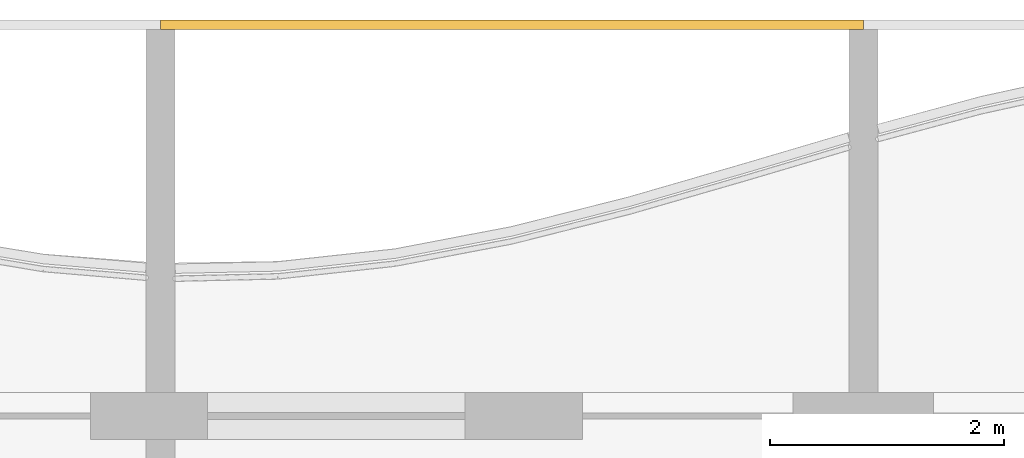
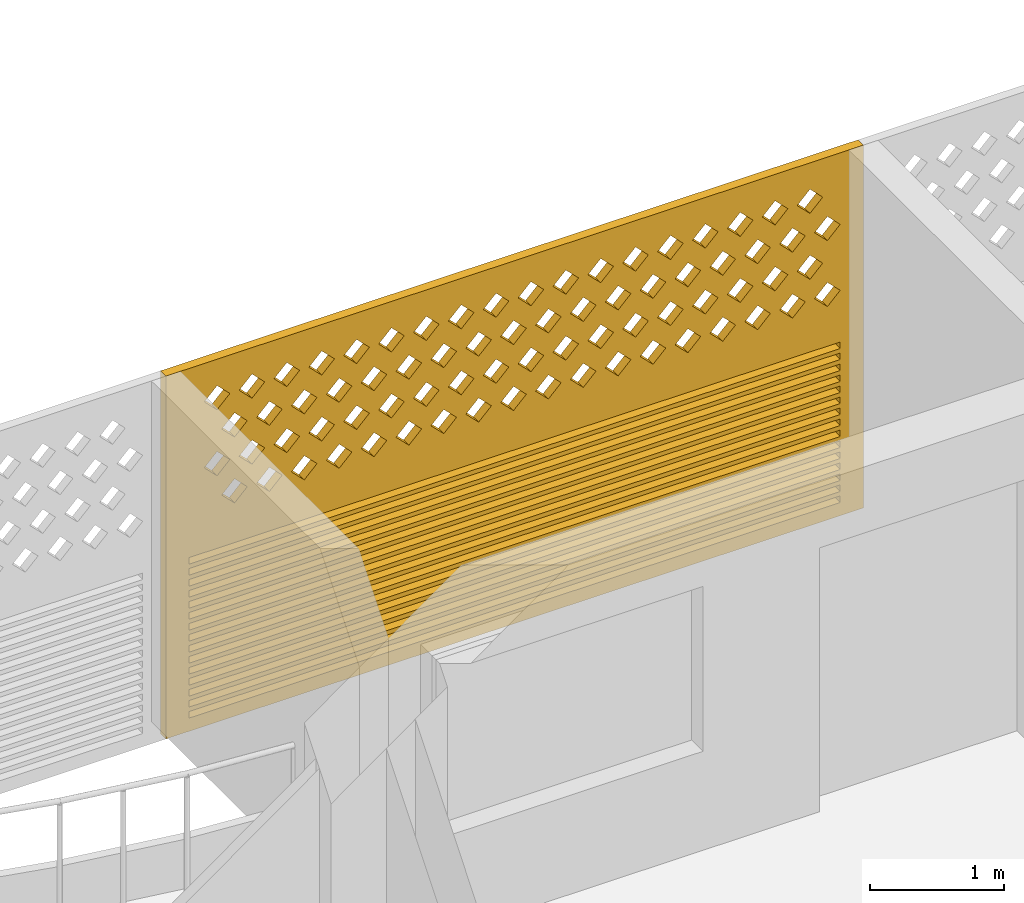
# One storey, part 19 of 27: 1 covering.
"""IFC4 building model written with IfcOpenShell, lengths in metres."""

from ifc_helpers import new_model, si_unit, direction, frame, origin, place, context, subcontext, project, spatial, polyline, outline, extrude, source, transform, mapped, material, material_profile, profile_set, type_object, element, save


model = new_model("IFC4")

# Units and contexts
model_context = context("Model", 3, precision=1e-05, world=origin(), true_north=direction((0.0, 1.0)))
body_context = subcontext(model_context, "Body", "Model", "MODEL_VIEW")
ifc_project = project(units=[si_unit("LENGTHUNIT", "METRE"), si_unit("AREAUNIT", "SQUARE_METRE"), si_unit("VOLUMEUNIT", "CUBIC_METRE"), si_unit("PLANEANGLEUNIT", "RADIAN"), si_unit("MASSUNIT", "GRAM", prefix="KILO")], contexts=[model_context])

# Site, building, storey
site_placement = place(None, origin())
site = spatial("IfcSite", under=ifc_project, at=site_placement, CompositionType="ELEMENT")
building_placement = place(site_placement, origin())
building = spatial("IfcBuilding", under=site, at=building_placement, Name="Poui Terraces", CompositionType="ELEMENT")
storey_placement = place(building_placement, frame((0.0, 0.0, 208.199951171875)))
storey = spatial("IfcBuildingStorey", under=building, at=storey_placement, Name="L58", CompositionType="ELEMENT", Elevation=208.199951171875)

# Covering
ifc_material = material(Name="Terracotta screen", Category="masonry")
ifc_material_profile = material_profile(ifc_material, outline(polyline([(-3.0, -1.64990234375), (3.0, -1.64990234375), (3.0, 1.64990234375), (-3.0, 1.64990234375), (-3.0, -1.64990234375)]), holes=[polyline([(-2.800048828125, 0.39990234375), (-2.68994140625, 0.2900390625), (-2.580078125, 0.39990234375), (-2.68994140625, 0.510009765625), (-2.800048828125, 0.39990234375)]), polyline([(-2.5, 0.39990234375), (-2.389892578125, 0.2900390625), (-2.280029296875, 0.39990234375), (-2.389892578125, 0.510009765625), (-2.5, 0.39990234375)]), polyline([(-2.199951171875, 0.39990234375), (-2.090087890625, 0.2900390625), (-1.97998046875, 0.39990234375), (-2.090087890625, 0.510009765625), (-2.199951171875, 0.39990234375)]), polyline([(-1.89990234375, 0.39990234375), (-1.7900390625, 0.2900390625), (-1.679931640625, 0.39990234375), (-1.7900390625, 0.510009765625), (-1.89990234375, 0.39990234375)]), polyline([(-1.60009765625, 0.39990234375), (-1.489990234375, 0.2900390625), (-1.3798828125, 0.39990234375), (-1.489990234375, 0.510009765625), (-1.60009765625, 0.39990234375)]), polyline([(-1.300048828125, 0.39990234375), (-1.18994140625, 0.2900390625), (-1.080078125, 0.39990234375), (-1.18994140625, 0.510009765625), (-1.300048828125, 0.39990234375)]), polyline([(-1.0, 0.39990234375), (-0.889892578125, 0.2900390625), (-0.780029296875, 0.39990234375), (-0.889892578125, 0.510009765625), (-1.0, 0.39990234375)]), polyline([(-0.699951171875, 0.39990234375), (-0.590087890625, 0.2900390625), (-0.47998046875, 0.39990234375), (-0.590087890625, 0.510009765625), (-0.699951171875, 0.39990234375)]), polyline([(-0.39990234375, 0.39990234375), (-0.2900390625, 0.2900390625), (-0.179931640625, 0.39990234375), (-0.2900390625, 0.510009765625), (-0.39990234375, 0.39990234375)]), polyline([(-0.10009765625, 0.39990234375), (0.010009765625, 0.2900390625), (0.1201171875, 0.39990234375), (0.010009765625, 0.510009765625), (-0.10009765625, 0.39990234375)]), polyline([(0.199951171875, 0.39990234375), (0.31005859375, 0.2900390625), (0.419921875, 0.39990234375), (0.31005859375, 0.510009765625), (0.199951171875, 0.39990234375)]), polyline([(0.5, 0.39990234375), (0.610107421875, 0.2900390625), (0.719970703125, 0.39990234375), (0.610107421875, 0.510009765625), (0.5, 0.39990234375)]), polyline([(0.800048828125, 0.39990234375), (0.909912109375, 0.2900390625), (1.02001953125, 0.39990234375), (0.909912109375, 0.510009765625), (0.800048828125, 0.39990234375)]), polyline([(1.10009765625, 0.39990234375), (1.2099609375, 0.2900390625), (1.320068359375, 0.39990234375), (1.2099609375, 0.510009765625), (1.10009765625, 0.39990234375)]), polyline([(1.39990234375, 0.39990234375), (1.510009765625, 0.2900390625), (1.6201171875, 0.39990234375), (1.510009765625, 0.510009765625), (1.39990234375, 0.39990234375)]), polyline([(1.699951171875, 0.39990234375), (1.81005859375, 0.2900390625), (1.919921875, 0.39990234375), (1.81005859375, 0.510009765625), (1.699951171875, 0.39990234375)]), polyline([(2.0, 0.39990234375), (2.110107421875, 0.2900390625), (2.219970703125, 0.39990234375), (2.110107421875, 0.510009765625), (2.0, 0.39990234375)]), polyline([(2.300048828125, 0.39990234375), (2.409912109375, 0.2900390625), (2.52001953125, 0.39990234375), (2.409912109375, 0.510009765625), (2.300048828125, 0.39990234375)]), polyline([(-2.64990234375, 0.699951171875), (-2.5400390625, 0.590087890625), (-2.429931640625, 0.699951171875), (-2.5400390625, 0.81005859375), (-2.64990234375, 0.699951171875)]), polyline([(-2.35009765625, 0.699951171875), (-2.239990234375, 0.590087890625), (-2.1298828125, 0.699951171875), (-2.239990234375, 0.81005859375), (-2.35009765625, 0.699951171875)]), polyline([(-2.050048828125, 0.699951171875), (-1.93994140625, 0.590087890625), (-1.830078125, 0.699951171875), (-1.93994140625, 0.81005859375), (-2.050048828125, 0.699951171875)]), polyline([(-1.75, 0.699951171875), (-1.639892578125, 0.590087890625), (-1.530029296875, 0.699951171875), (-1.639892578125, 0.81005859375), (-1.75, 0.699951171875)]), polyline([(-1.449951171875, 0.699951171875), (-1.340087890625, 0.590087890625), (-1.22998046875, 0.699951171875), (-1.340087890625, 0.81005859375), (-1.449951171875, 0.699951171875)]), polyline([(-1.14990234375, 0.699951171875), (-1.0400390625, 0.590087890625), (-0.929931640625, 0.699951171875), (-1.0400390625, 0.81005859375), (-1.14990234375, 0.699951171875)]), polyline([(-0.85009765625, 0.699951171875), (-0.739990234375, 0.590087890625), (-0.6298828125, 0.699951171875), (-0.739990234375, 0.81005859375), (-0.85009765625, 0.699951171875)]), polyline([(-0.550048828125, 0.699951171875), (-0.43994140625, 0.590087890625), (-0.330078125, 0.699951171875), (-0.43994140625, 0.81005859375), (-0.550048828125, 0.699951171875)]), polyline([(-0.25, 0.699951171875), (-0.139892578125, 0.590087890625), (-0.030029296875, 0.699951171875), (-0.139892578125, 0.81005859375), (-0.25, 0.699951171875)]), polyline([(0.050048828125, 0.699951171875), (0.159912109375, 0.590087890625), (0.27001953125, 0.699951171875), (0.159912109375, 0.81005859375), (0.050048828125, 0.699951171875)]), polyline([(0.35009765625, 0.699951171875), (0.4599609375, 0.590087890625), (0.570068359375, 0.699951171875), (0.4599609375, 0.81005859375), (0.35009765625, 0.699951171875)]), polyline([(0.64990234375, 0.699951171875), (0.760009765625, 0.590087890625), (0.8701171875, 0.699951171875), (0.760009765625, 0.81005859375), (0.64990234375, 0.699951171875)]), polyline([(0.949951171875, 0.699951171875), (1.06005859375, 0.590087890625), (1.169921875, 0.699951171875), (1.06005859375, 0.81005859375), (0.949951171875, 0.699951171875)]), polyline([(1.25, 0.699951171875), (1.360107421875, 0.590087890625), (1.469970703125, 0.699951171875), (1.360107421875, 0.81005859375), (1.25, 0.699951171875)]), polyline([(1.550048828125, 0.699951171875), (1.659912109375, 0.590087890625), (1.77001953125, 0.699951171875), (1.659912109375, 0.81005859375), (1.550048828125, 0.699951171875)]), polyline([(1.85009765625, 0.699951171875), (1.9599609375, 0.590087890625), (2.070068359375, 0.699951171875), (1.9599609375, 0.81005859375), (1.85009765625, 0.699951171875)]), polyline([(2.14990234375, 0.699951171875), (2.260009765625, 0.590087890625), (2.3701171875, 0.699951171875), (2.260009765625, 0.81005859375), (2.14990234375, 0.699951171875)]), polyline([(2.449951171875, 0.699951171875), (2.56005859375, 0.590087890625), (2.669921875, 0.699951171875), (2.56005859375, 0.81005859375), (2.449951171875, 0.699951171875)]), polyline([(-2.800048828125, 1.0), (-2.68994140625, 0.889892578125), (-2.580078125, 1.0), (-2.68994140625, 1.110107421875), (-2.800048828125, 1.0)]), polyline([(-2.5, 1.0), (-2.389892578125, 0.889892578125), (-2.280029296875, 1.0), (-2.389892578125, 1.110107421875), (-2.5, 1.0)]), polyline([(-2.199951171875, 1.0), (-2.090087890625, 0.889892578125), (-1.97998046875, 1.0), (-2.090087890625, 1.110107421875), (-2.199951171875, 1.0)]), polyline([(-1.89990234375, 1.0), (-1.7900390625, 0.889892578125), (-1.679931640625, 1.0), (-1.7900390625, 1.110107421875), (-1.89990234375, 1.0)]), polyline([(-1.60009765625, 1.0), (-1.489990234375, 0.889892578125), (-1.3798828125, 1.0), (-1.489990234375, 1.110107421875), (-1.60009765625, 1.0)]), polyline([(-1.300048828125, 1.0), (-1.18994140625, 0.889892578125), (-1.080078125, 1.0), (-1.18994140625, 1.110107421875), (-1.300048828125, 1.0)]), polyline([(-1.0, 1.0), (-0.889892578125, 0.889892578125), (-0.780029296875, 1.0), (-0.889892578125, 1.110107421875), (-1.0, 1.0)]), polyline([(-0.699951171875, 1.0), (-0.590087890625, 0.889892578125), (-0.47998046875, 1.0), (-0.590087890625, 1.110107421875), (-0.699951171875, 1.0)]), polyline([(-0.39990234375, 1.0), (-0.2900390625, 0.889892578125), (-0.179931640625, 1.0), (-0.2900390625, 1.110107421875), (-0.39990234375, 1.0)]), polyline([(-0.10009765625, 1.0), (0.010009765625, 0.889892578125), (0.1201171875, 1.0), (0.010009765625, 1.110107421875), (-0.10009765625, 1.0)]), polyline([(0.199951171875, 1.0), (0.31005859375, 0.889892578125), (0.419921875, 1.0), (0.31005859375, 1.110107421875), (0.199951171875, 1.0)]), polyline([(0.5, 1.0), (0.610107421875, 0.889892578125), (0.719970703125, 1.0), (0.610107421875, 1.110107421875), (0.5, 1.0)]), polyline([(0.800048828125, 1.0), (0.909912109375, 0.889892578125), (1.02001953125, 1.0), (0.909912109375, 1.110107421875), (0.800048828125, 1.0)]), polyline([(1.10009765625, 1.0), (1.2099609375, 0.889892578125), (1.320068359375, 1.0), (1.2099609375, 1.110107421875), (1.10009765625, 1.0)]), polyline([(1.39990234375, 1.0), (1.510009765625, 0.889892578125), (1.6201171875, 1.0), (1.510009765625, 1.110107421875), (1.39990234375, 1.0)]), polyline([(1.699951171875, 1.0), (1.81005859375, 0.889892578125), (1.919921875, 1.0), (1.81005859375, 1.110107421875), (1.699951171875, 1.0)]), polyline([(2.0, 1.0), (2.110107421875, 0.889892578125), (2.219970703125, 1.0), (2.110107421875, 1.110107421875), (2.0, 1.0)]), polyline([(2.300048828125, 1.0), (2.409912109375, 0.889892578125), (2.52001953125, 1.0), (2.409912109375, 1.110107421875), (2.300048828125, 1.0)]), polyline([(-2.64990234375, 1.300048828125), (-2.5400390625, 1.18994140625), (-2.429931640625, 1.300048828125), (-2.5400390625, 1.409912109375), (-2.64990234375, 1.300048828125)]), polyline([(-2.35009765625, 1.300048828125), (-2.239990234375, 1.18994140625), (-2.1298828125, 1.300048828125), (-2.239990234375, 1.409912109375), (-2.35009765625, 1.300048828125)]), polyline([(-2.050048828125, 1.300048828125), (-1.93994140625, 1.18994140625), (-1.830078125, 1.300048828125), (-1.93994140625, 1.409912109375), (-2.050048828125, 1.300048828125)]), polyline([(-1.75, 1.300048828125), (-1.639892578125, 1.18994140625), (-1.530029296875, 1.300048828125), (-1.639892578125, 1.409912109375), (-1.75, 1.300048828125)]), polyline([(-1.449951171875, 1.300048828125), (-1.340087890625, 1.18994140625), (-1.22998046875, 1.300048828125), (-1.340087890625, 1.409912109375), (-1.449951171875, 1.300048828125)]), polyline([(-1.14990234375, 1.300048828125), (-1.0400390625, 1.18994140625), (-0.929931640625, 1.300048828125), (-1.0400390625, 1.409912109375), (-1.14990234375, 1.300048828125)]), polyline([(-0.85009765625, 1.300048828125), (-0.739990234375, 1.18994140625), (-0.6298828125, 1.300048828125), (-0.739990234375, 1.409912109375), (-0.85009765625, 1.300048828125)]), polyline([(-0.550048828125, 1.300048828125), (-0.43994140625, 1.18994140625), (-0.330078125, 1.300048828125), (-0.43994140625, 1.409912109375), (-0.550048828125, 1.300048828125)]), polyline([(-0.25, 1.300048828125), (-0.139892578125, 1.18994140625), (-0.030029296875, 1.300048828125), (-0.139892578125, 1.409912109375), (-0.25, 1.300048828125)]), polyline([(0.050048828125, 1.300048828125), (0.159912109375, 1.18994140625), (0.27001953125, 1.300048828125), (0.159912109375, 1.409912109375), (0.050048828125, 1.300048828125)]), polyline([(0.35009765625, 1.300048828125), (0.4599609375, 1.18994140625), (0.570068359375, 1.300048828125), (0.4599609375, 1.409912109375), (0.35009765625, 1.300048828125)]), polyline([(0.64990234375, 1.300048828125), (0.760009765625, 1.18994140625), (0.8701171875, 1.300048828125), (0.760009765625, 1.409912109375), (0.64990234375, 1.300048828125)]), polyline([(0.949951171875, 1.300048828125), (1.06005859375, 1.18994140625), (1.169921875, 1.300048828125), (1.06005859375, 1.409912109375), (0.949951171875, 1.300048828125)]), polyline([(1.25, 1.300048828125), (1.360107421875, 1.18994140625), (1.469970703125, 1.300048828125), (1.360107421875, 1.409912109375), (1.25, 1.300048828125)]), polyline([(1.550048828125, 1.300048828125), (1.659912109375, 1.18994140625), (1.77001953125, 1.300048828125), (1.659912109375, 1.409912109375), (1.550048828125, 1.300048828125)]), polyline([(1.85009765625, 1.300048828125), (1.9599609375, 1.18994140625), (2.070068359375, 1.300048828125), (1.9599609375, 1.409912109375), (1.85009765625, 1.300048828125)]), polyline([(2.14990234375, 1.300048828125), (2.260009765625, 1.18994140625), (2.3701171875, 1.300048828125), (2.260009765625, 1.409912109375), (2.14990234375, 1.300048828125)]), polyline([(2.449951171875, 1.300048828125), (2.56005859375, 1.18994140625), (2.669921875, 1.300048828125), (2.56005859375, 1.409912109375), (2.449951171875, 1.300048828125)]), polyline([(-2.800048828125, -1.530029296875), (2.800048828125, -1.530029296875), (2.800048828125, -1.469970703125), (-2.800048828125, -1.469970703125), (-2.800048828125, -1.530029296875)]), polyline([(-2.800048828125, -1.429931640625), (2.800048828125, -1.429931640625), (2.800048828125, -1.3701171875), (-2.800048828125, -1.3701171875), (-2.800048828125, -1.429931640625)]), polyline([(-2.800048828125, -1.330078125), (2.800048828125, -1.330078125), (2.800048828125, -1.27001953125), (-2.800048828125, -1.27001953125), (-2.800048828125, -1.330078125)]), polyline([(-2.800048828125, -1.22998046875), (2.800048828125, -1.22998046875), (2.800048828125, -1.169921875), (-2.800048828125, -1.169921875), (-2.800048828125, -1.22998046875)]), polyline([(-2.800048828125, -1.1298828125), (2.800048828125, -1.1298828125), (2.800048828125, -1.070068359375), (-2.800048828125, -1.070068359375), (-2.800048828125, -1.1298828125)]), polyline([(-2.800048828125, -1.030029296875), (2.800048828125, -1.030029296875), (2.800048828125, -0.969970703125), (-2.800048828125, -0.969970703125), (-2.800048828125, -1.030029296875)]), polyline([(-2.800048828125, -0.929931640625), (2.800048828125, -0.929931640625), (2.800048828125, -0.8701171875), (-2.800048828125, -0.8701171875), (-2.800048828125, -0.929931640625)]), polyline([(-2.800048828125, -0.830078125), (2.800048828125, -0.830078125), (2.800048828125, -0.77001953125), (-2.800048828125, -0.77001953125), (-2.800048828125, -0.830078125)]), polyline([(-2.800048828125, -0.72998046875), (2.800048828125, -0.72998046875), (2.800048828125, -0.669921875), (-2.800048828125, -0.669921875), (-2.800048828125, -0.72998046875)]), polyline([(-2.800048828125, -0.6298828125), (2.800048828125, -0.6298828125), (2.800048828125, -0.570068359375), (-2.800048828125, -0.570068359375), (-2.800048828125, -0.6298828125)]), polyline([(-2.800048828125, -0.530029296875), (2.800048828125, -0.530029296875), (2.800048828125, -0.469970703125), (-2.800048828125, -0.469970703125), (-2.800048828125, -0.530029296875)]), polyline([(-2.800048828125, -0.429931640625), (2.800048828125, -0.429931640625), (2.800048828125, -0.3701171875), (-2.800048828125, -0.3701171875), (-2.800048828125, -0.429931640625)]), polyline([(-2.800048828125, -0.330078125), (2.800048828125, -0.330078125), (2.800048828125, -0.27001953125), (-2.800048828125, -0.27001953125), (-2.800048828125, -0.330078125)]), polyline([(-2.800048828125, -0.22998046875), (2.800048828125, -0.22998046875), (2.800048828125, -0.169921875), (-2.800048828125, -0.169921875), (-2.800048828125, -0.22998046875)]), polyline([(-2.800048828125, -0.1298828125), (2.800048828125, -0.1298828125), (2.800048828125, -0.070068359375), (-2.800048828125, -0.070068359375), (-2.800048828125, -0.1298828125)])]), Name="TERRACOTTA SCREEN AND JALOUSIE LOUVRE 6000X3300")
ifc_profile_set = profile_set([ifc_material_profile], Name="Terracotta screen")
covering_type = type_object("IfcCoveringType", Name="TERRACOTTA SCREEN AND JALOUSIE LOUVRE 6000X3300", PredefinedType="CLADDING", material=ifc_profile_set)
shared_shape = source(origin(), body_context, "Body", "SweptSolid", [
    extrude(outline(polyline([(-3.0, -1.64990234375), (3.0, -1.64990234375), (3.0, 1.64990234375), (-3.0, 1.64990234375), (-3.0, -1.64990234375)]), holes=[polyline([(-2.800048828125, 0.39990234375), (-2.68994140625, 0.2900390625), (-2.580078125, 0.39990234375), (-2.68994140625, 0.510009765625), (-2.800048828125, 0.39990234375)]), polyline([(-2.5, 0.39990234375), (-2.389892578125, 0.2900390625), (-2.280029296875, 0.39990234375), (-2.389892578125, 0.510009765625), (-2.5, 0.39990234375)]), polyline([(-2.199951171875, 0.39990234375), (-2.090087890625, 0.2900390625), (-1.97998046875, 0.39990234375), (-2.090087890625, 0.510009765625), (-2.199951171875, 0.39990234375)]), polyline([(-1.89990234375, 0.39990234375), (-1.7900390625, 0.2900390625), (-1.679931640625, 0.39990234375), (-1.7900390625, 0.510009765625), (-1.89990234375, 0.39990234375)]), polyline([(-1.60009765625, 0.39990234375), (-1.489990234375, 0.2900390625), (-1.3798828125, 0.39990234375), (-1.489990234375, 0.510009765625), (-1.60009765625, 0.39990234375)]), polyline([(-1.300048828125, 0.39990234375), (-1.18994140625, 0.2900390625), (-1.080078125, 0.39990234375), (-1.18994140625, 0.510009765625), (-1.300048828125, 0.39990234375)]), polyline([(-1.0, 0.39990234375), (-0.889892578125, 0.2900390625), (-0.780029296875, 0.39990234375), (-0.889892578125, 0.510009765625), (-1.0, 0.39990234375)]), polyline([(-0.699951171875, 0.39990234375), (-0.590087890625, 0.2900390625), (-0.47998046875, 0.39990234375), (-0.590087890625, 0.510009765625), (-0.699951171875, 0.39990234375)]), polyline([(-0.39990234375, 0.39990234375), (-0.2900390625, 0.2900390625), (-0.179931640625, 0.39990234375), (-0.2900390625, 0.510009765625), (-0.39990234375, 0.39990234375)]), polyline([(-0.10009765625, 0.39990234375), (0.010009765625, 0.2900390625), (0.1201171875, 0.39990234375), (0.010009765625, 0.510009765625), (-0.10009765625, 0.39990234375)]), polyline([(0.199951171875, 0.39990234375), (0.31005859375, 0.2900390625), (0.419921875, 0.39990234375), (0.31005859375, 0.510009765625), (0.199951171875, 0.39990234375)]), polyline([(0.5, 0.39990234375), (0.610107421875, 0.2900390625), (0.719970703125, 0.39990234375), (0.610107421875, 0.510009765625), (0.5, 0.39990234375)]), polyline([(0.800048828125, 0.39990234375), (0.909912109375, 0.2900390625), (1.02001953125, 0.39990234375), (0.909912109375, 0.510009765625), (0.800048828125, 0.39990234375)]), polyline([(1.10009765625, 0.39990234375), (1.2099609375, 0.2900390625), (1.320068359375, 0.39990234375), (1.2099609375, 0.510009765625), (1.10009765625, 0.39990234375)]), polyline([(1.39990234375, 0.39990234375), (1.510009765625, 0.2900390625), (1.6201171875, 0.39990234375), (1.510009765625, 0.510009765625), (1.39990234375, 0.39990234375)]), polyline([(1.699951171875, 0.39990234375), (1.81005859375, 0.2900390625), (1.919921875, 0.39990234375), (1.81005859375, 0.510009765625), (1.699951171875, 0.39990234375)]), polyline([(2.0, 0.39990234375), (2.110107421875, 0.2900390625), (2.219970703125, 0.39990234375), (2.110107421875, 0.510009765625), (2.0, 0.39990234375)]), polyline([(2.300048828125, 0.39990234375), (2.409912109375, 0.2900390625), (2.52001953125, 0.39990234375), (2.409912109375, 0.510009765625), (2.300048828125, 0.39990234375)]), polyline([(-2.64990234375, 0.699951171875), (-2.5400390625, 0.590087890625), (-2.429931640625, 0.699951171875), (-2.5400390625, 0.81005859375), (-2.64990234375, 0.699951171875)]), polyline([(-2.35009765625, 0.699951171875), (-2.239990234375, 0.590087890625), (-2.1298828125, 0.699951171875), (-2.239990234375, 0.81005859375), (-2.35009765625, 0.699951171875)]), polyline([(-2.050048828125, 0.699951171875), (-1.93994140625, 0.590087890625), (-1.830078125, 0.699951171875), (-1.93994140625, 0.81005859375), (-2.050048828125, 0.699951171875)]), polyline([(-1.75, 0.699951171875), (-1.639892578125, 0.590087890625), (-1.530029296875, 0.699951171875), (-1.639892578125, 0.81005859375), (-1.75, 0.699951171875)]), polyline([(-1.449951171875, 0.699951171875), (-1.340087890625, 0.590087890625), (-1.22998046875, 0.699951171875), (-1.340087890625, 0.81005859375), (-1.449951171875, 0.699951171875)]), polyline([(-1.14990234375, 0.699951171875), (-1.0400390625, 0.590087890625), (-0.929931640625, 0.699951171875), (-1.0400390625, 0.81005859375), (-1.14990234375, 0.699951171875)]), polyline([(-0.85009765625, 0.699951171875), (-0.739990234375, 0.590087890625), (-0.6298828125, 0.699951171875), (-0.739990234375, 0.81005859375), (-0.85009765625, 0.699951171875)]), polyline([(-0.550048828125, 0.699951171875), (-0.43994140625, 0.590087890625), (-0.330078125, 0.699951171875), (-0.43994140625, 0.81005859375), (-0.550048828125, 0.699951171875)]), polyline([(-0.25, 0.699951171875), (-0.139892578125, 0.590087890625), (-0.030029296875, 0.699951171875), (-0.139892578125, 0.81005859375), (-0.25, 0.699951171875)]), polyline([(0.050048828125, 0.699951171875), (0.159912109375, 0.590087890625), (0.27001953125, 0.699951171875), (0.159912109375, 0.81005859375), (0.050048828125, 0.699951171875)]), polyline([(0.35009765625, 0.699951171875), (0.4599609375, 0.590087890625), (0.570068359375, 0.699951171875), (0.4599609375, 0.81005859375), (0.35009765625, 0.699951171875)]), polyline([(0.64990234375, 0.699951171875), (0.760009765625, 0.590087890625), (0.8701171875, 0.699951171875), (0.760009765625, 0.81005859375), (0.64990234375, 0.699951171875)]), polyline([(0.949951171875, 0.699951171875), (1.06005859375, 0.590087890625), (1.169921875, 0.699951171875), (1.06005859375, 0.81005859375), (0.949951171875, 0.699951171875)]), polyline([(1.25, 0.699951171875), (1.360107421875, 0.590087890625), (1.469970703125, 0.699951171875), (1.360107421875, 0.81005859375), (1.25, 0.699951171875)]), polyline([(1.550048828125, 0.699951171875), (1.659912109375, 0.590087890625), (1.77001953125, 0.699951171875), (1.659912109375, 0.81005859375), (1.550048828125, 0.699951171875)]), polyline([(1.85009765625, 0.699951171875), (1.9599609375, 0.590087890625), (2.070068359375, 0.699951171875), (1.9599609375, 0.81005859375), (1.85009765625, 0.699951171875)]), polyline([(2.14990234375, 0.699951171875), (2.260009765625, 0.590087890625), (2.3701171875, 0.699951171875), (2.260009765625, 0.81005859375), (2.14990234375, 0.699951171875)]), polyline([(2.449951171875, 0.699951171875), (2.56005859375, 0.590087890625), (2.669921875, 0.699951171875), (2.56005859375, 0.81005859375), (2.449951171875, 0.699951171875)]), polyline([(-2.800048828125, 1.0), (-2.68994140625, 0.889892578125), (-2.580078125, 1.0), (-2.68994140625, 1.110107421875), (-2.800048828125, 1.0)]), polyline([(-2.5, 1.0), (-2.389892578125, 0.889892578125), (-2.280029296875, 1.0), (-2.389892578125, 1.110107421875), (-2.5, 1.0)]), polyline([(-2.199951171875, 1.0), (-2.090087890625, 0.889892578125), (-1.97998046875, 1.0), (-2.090087890625, 1.110107421875), (-2.199951171875, 1.0)]), polyline([(-1.89990234375, 1.0), (-1.7900390625, 0.889892578125), (-1.679931640625, 1.0), (-1.7900390625, 1.110107421875), (-1.89990234375, 1.0)]), polyline([(-1.60009765625, 1.0), (-1.489990234375, 0.889892578125), (-1.3798828125, 1.0), (-1.489990234375, 1.110107421875), (-1.60009765625, 1.0)]), polyline([(-1.300048828125, 1.0), (-1.18994140625, 0.889892578125), (-1.080078125, 1.0), (-1.18994140625, 1.110107421875), (-1.300048828125, 1.0)]), polyline([(-1.0, 1.0), (-0.889892578125, 0.889892578125), (-0.780029296875, 1.0), (-0.889892578125, 1.110107421875), (-1.0, 1.0)]), polyline([(-0.699951171875, 1.0), (-0.590087890625, 0.889892578125), (-0.47998046875, 1.0), (-0.590087890625, 1.110107421875), (-0.699951171875, 1.0)]), polyline([(-0.39990234375, 1.0), (-0.2900390625, 0.889892578125), (-0.179931640625, 1.0), (-0.2900390625, 1.110107421875), (-0.39990234375, 1.0)]), polyline([(-0.10009765625, 1.0), (0.010009765625, 0.889892578125), (0.1201171875, 1.0), (0.010009765625, 1.110107421875), (-0.10009765625, 1.0)]), polyline([(0.199951171875, 1.0), (0.31005859375, 0.889892578125), (0.419921875, 1.0), (0.31005859375, 1.110107421875), (0.199951171875, 1.0)]), polyline([(0.5, 1.0), (0.610107421875, 0.889892578125), (0.719970703125, 1.0), (0.610107421875, 1.110107421875), (0.5, 1.0)]), polyline([(0.800048828125, 1.0), (0.909912109375, 0.889892578125), (1.02001953125, 1.0), (0.909912109375, 1.110107421875), (0.800048828125, 1.0)]), polyline([(1.10009765625, 1.0), (1.2099609375, 0.889892578125), (1.320068359375, 1.0), (1.2099609375, 1.110107421875), (1.10009765625, 1.0)]), polyline([(1.39990234375, 1.0), (1.510009765625, 0.889892578125), (1.6201171875, 1.0), (1.510009765625, 1.110107421875), (1.39990234375, 1.0)]), polyline([(1.699951171875, 1.0), (1.81005859375, 0.889892578125), (1.919921875, 1.0), (1.81005859375, 1.110107421875), (1.699951171875, 1.0)]), polyline([(2.0, 1.0), (2.110107421875, 0.889892578125), (2.219970703125, 1.0), (2.110107421875, 1.110107421875), (2.0, 1.0)]), polyline([(2.300048828125, 1.0), (2.409912109375, 0.889892578125), (2.52001953125, 1.0), (2.409912109375, 1.110107421875), (2.300048828125, 1.0)]), polyline([(-2.64990234375, 1.300048828125), (-2.5400390625, 1.18994140625), (-2.429931640625, 1.300048828125), (-2.5400390625, 1.409912109375), (-2.64990234375, 1.300048828125)]), polyline([(-2.35009765625, 1.300048828125), (-2.239990234375, 1.18994140625), (-2.1298828125, 1.300048828125), (-2.239990234375, 1.409912109375), (-2.35009765625, 1.300048828125)]), polyline([(-2.050048828125, 1.300048828125), (-1.93994140625, 1.18994140625), (-1.830078125, 1.300048828125), (-1.93994140625, 1.409912109375), (-2.050048828125, 1.300048828125)]), polyline([(-1.75, 1.300048828125), (-1.639892578125, 1.18994140625), (-1.530029296875, 1.300048828125), (-1.639892578125, 1.409912109375), (-1.75, 1.300048828125)]), polyline([(-1.449951171875, 1.300048828125), (-1.340087890625, 1.18994140625), (-1.22998046875, 1.300048828125), (-1.340087890625, 1.409912109375), (-1.449951171875, 1.300048828125)]), polyline([(-1.14990234375, 1.300048828125), (-1.0400390625, 1.18994140625), (-0.929931640625, 1.300048828125), (-1.0400390625, 1.409912109375), (-1.14990234375, 1.300048828125)]), polyline([(-0.85009765625, 1.300048828125), (-0.739990234375, 1.18994140625), (-0.6298828125, 1.300048828125), (-0.739990234375, 1.409912109375), (-0.85009765625, 1.300048828125)]), polyline([(-0.550048828125, 1.300048828125), (-0.43994140625, 1.18994140625), (-0.330078125, 1.300048828125), (-0.43994140625, 1.409912109375), (-0.550048828125, 1.300048828125)]), polyline([(-0.25, 1.300048828125), (-0.139892578125, 1.18994140625), (-0.030029296875, 1.300048828125), (-0.139892578125, 1.409912109375), (-0.25, 1.300048828125)]), polyline([(0.050048828125, 1.300048828125), (0.159912109375, 1.18994140625), (0.27001953125, 1.300048828125), (0.159912109375, 1.409912109375), (0.050048828125, 1.300048828125)]), polyline([(0.35009765625, 1.300048828125), (0.4599609375, 1.18994140625), (0.570068359375, 1.300048828125), (0.4599609375, 1.409912109375), (0.35009765625, 1.300048828125)]), polyline([(0.64990234375, 1.300048828125), (0.760009765625, 1.18994140625), (0.8701171875, 1.300048828125), (0.760009765625, 1.409912109375), (0.64990234375, 1.300048828125)]), polyline([(0.949951171875, 1.300048828125), (1.06005859375, 1.18994140625), (1.169921875, 1.300048828125), (1.06005859375, 1.409912109375), (0.949951171875, 1.300048828125)]), polyline([(1.25, 1.300048828125), (1.360107421875, 1.18994140625), (1.469970703125, 1.300048828125), (1.360107421875, 1.409912109375), (1.25, 1.300048828125)]), polyline([(1.550048828125, 1.300048828125), (1.659912109375, 1.18994140625), (1.77001953125, 1.300048828125), (1.659912109375, 1.409912109375), (1.550048828125, 1.300048828125)]), polyline([(1.85009765625, 1.300048828125), (1.9599609375, 1.18994140625), (2.070068359375, 1.300048828125), (1.9599609375, 1.409912109375), (1.85009765625, 1.300048828125)]), polyline([(2.14990234375, 1.300048828125), (2.260009765625, 1.18994140625), (2.3701171875, 1.300048828125), (2.260009765625, 1.409912109375), (2.14990234375, 1.300048828125)]), polyline([(2.449951171875, 1.300048828125), (2.56005859375, 1.18994140625), (2.669921875, 1.300048828125), (2.56005859375, 1.409912109375), (2.449951171875, 1.300048828125)]), polyline([(-2.800048828125, -1.530029296875), (2.800048828125, -1.530029296875), (2.800048828125, -1.469970703125), (-2.800048828125, -1.469970703125), (-2.800048828125, -1.530029296875)]), polyline([(-2.800048828125, -1.429931640625), (2.800048828125, -1.429931640625), (2.800048828125, -1.3701171875), (-2.800048828125, -1.3701171875), (-2.800048828125, -1.429931640625)]), polyline([(-2.800048828125, -1.330078125), (2.800048828125, -1.330078125), (2.800048828125, -1.27001953125), (-2.800048828125, -1.27001953125), (-2.800048828125, -1.330078125)]), polyline([(-2.800048828125, -1.22998046875), (2.800048828125, -1.22998046875), (2.800048828125, -1.169921875), (-2.800048828125, -1.169921875), (-2.800048828125, -1.22998046875)]), polyline([(-2.800048828125, -1.1298828125), (2.800048828125, -1.1298828125), (2.800048828125, -1.070068359375), (-2.800048828125, -1.070068359375), (-2.800048828125, -1.1298828125)]), polyline([(-2.800048828125, -1.030029296875), (2.800048828125, -1.030029296875), (2.800048828125, -0.969970703125), (-2.800048828125, -0.969970703125), (-2.800048828125, -1.030029296875)]), polyline([(-2.800048828125, -0.929931640625), (2.800048828125, -0.929931640625), (2.800048828125, -0.8701171875), (-2.800048828125, -0.8701171875), (-2.800048828125, -0.929931640625)]), polyline([(-2.800048828125, -0.830078125), (2.800048828125, -0.830078125), (2.800048828125, -0.77001953125), (-2.800048828125, -0.77001953125), (-2.800048828125, -0.830078125)]), polyline([(-2.800048828125, -0.72998046875), (2.800048828125, -0.72998046875), (2.800048828125, -0.669921875), (-2.800048828125, -0.669921875), (-2.800048828125, -0.72998046875)]), polyline([(-2.800048828125, -0.6298828125), (2.800048828125, -0.6298828125), (2.800048828125, -0.570068359375), (-2.800048828125, -0.570068359375), (-2.800048828125, -0.6298828125)]), polyline([(-2.800048828125, -0.530029296875), (2.800048828125, -0.530029296875), (2.800048828125, -0.469970703125), (-2.800048828125, -0.469970703125), (-2.800048828125, -0.530029296875)]), polyline([(-2.800048828125, -0.429931640625), (2.800048828125, -0.429931640625), (2.800048828125, -0.3701171875), (-2.800048828125, -0.3701171875), (-2.800048828125, -0.429931640625)]), polyline([(-2.800048828125, -0.330078125), (2.800048828125, -0.330078125), (2.800048828125, -0.27001953125), (-2.800048828125, -0.27001953125), (-2.800048828125, -0.330078125)]), polyline([(-2.800048828125, -0.22998046875), (2.800048828125, -0.22998046875), (2.800048828125, -0.169921875), (-2.800048828125, -0.169921875), (-2.800048828125, -0.22998046875)]), polyline([(-2.800048828125, -0.1298828125), (2.800048828125, -0.1298828125), (2.800048828125, -0.070068359375), (-2.800048828125, -0.070068359375), (-2.800048828125, -0.1298828125)])]), origin(), (0.0, 0.0, 1.0), 0.080078125),
])
covering_placement = place(storey_placement, frame((33.0, 44.5, 1.449951171875), z_axis=(0.0, 1.0, 0.0), x_axis=(-1.0, 0.0, 0.0)))
element("IfcCovering", 1, at=covering_placement, inside=storey, type_object=covering_type, Name="SOLAR SCREEN AND JALOUSIE LOUVRE", PredefinedType="CLADDING", context=body_context, shape_type="MappedRepresentation", body=[
    mapped(shared_shape, transform((0.0, 0.0, 0.0))),
])

save(model, "model.ifc")
